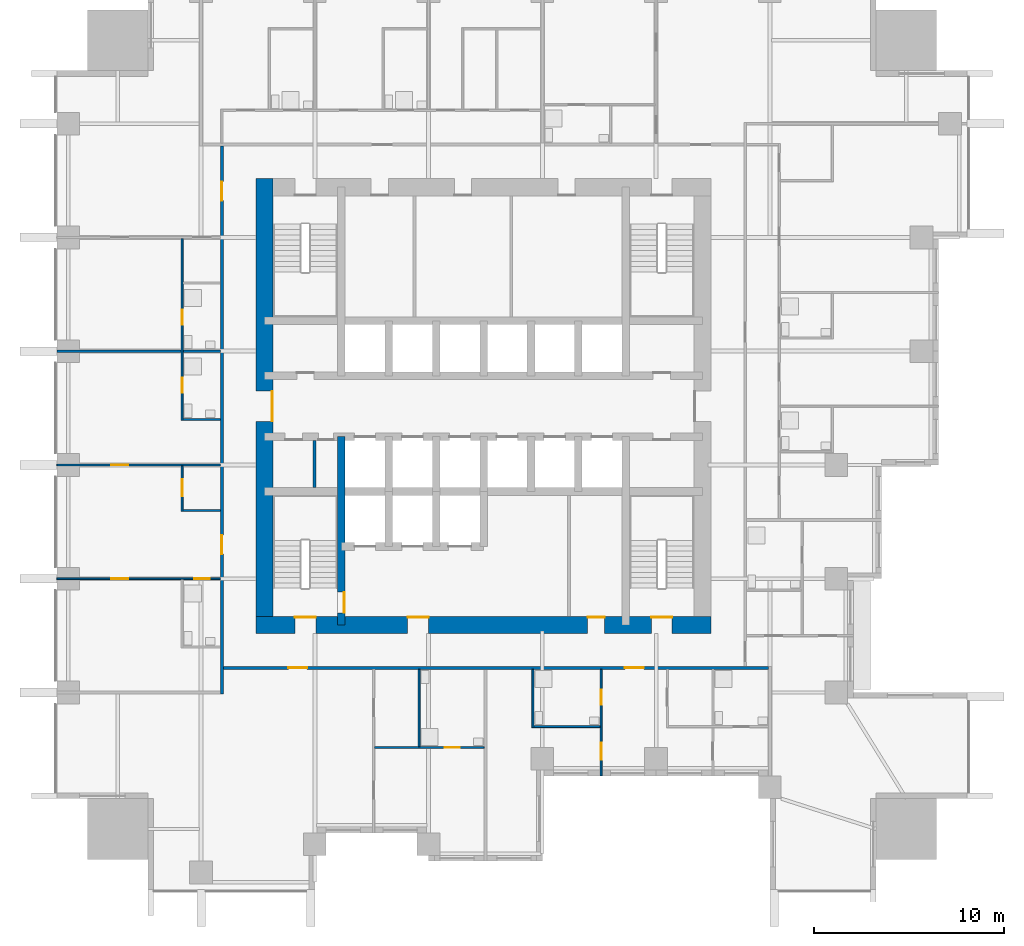
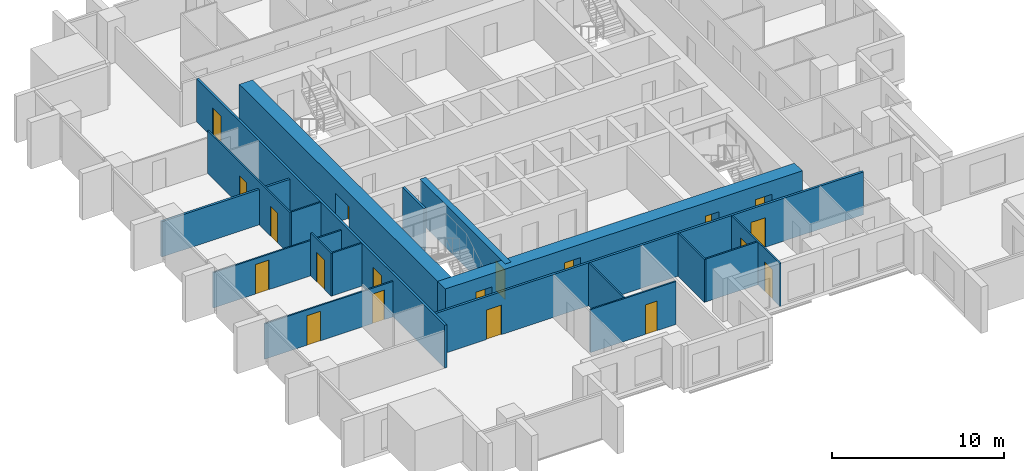
# One storey, part 4 of 10: 19 doors, 18 walls, 19 openings.
"""IFC4 building model written with IfcOpenShell, lengths in metres."""

from ifc_helpers import new_model, si_unit, direction, frame, frame_2d, origin, place, context, subcontext, project, spatial, rectangle, extrude, material, layer, layer_set, type_object, element, fill, save


model = new_model("IFC4")

# Units and contexts
model_context = context("Model", 3, precision=1e-05, world=origin(), true_north=direction((0.0, 1.0)))
body_context = subcontext(model_context, "Body", "Model", "MODEL_VIEW")
ifc_project = project(units=[si_unit("LENGTHUNIT", "METRE"), si_unit("AREAUNIT", "SQUARE_METRE"), si_unit("VOLUMEUNIT", "CUBIC_METRE"), si_unit("PLANEANGLEUNIT", "RADIAN"), si_unit("MASSUNIT", "GRAM", prefix="KILO")], contexts=[model_context])

# Site, building, storey
site_placement = place(None, origin())
site = spatial("IfcSite", under=ifc_project, at=site_placement, CompositionType="ELEMENT")
building_placement = place(site_placement, origin())
building = spatial("IfcBuilding", under=site, at=building_placement, Name="Amberfall Residences", CompositionType="ELEMENT")
storey_placement = place(building_placement, frame((0.0, 0.0, 46.60009765625)))
storey = spatial("IfcBuildingStorey", under=building, at=storey_placement, Name="L12", CompositionType="ELEMENT", Elevation=46.60009765625)

# Wall, opening, door
ifc_material_1 = material(Name="Concrete C80", Category="concrete")
ifc_layer_1 = layer(ifc_material_1, 0.39990234375)
ifc_layer_set_1 = layer_set([ifc_layer_1], Name="Core wall 400 C80")
wall_type_1 = type_object("IfcWallType", Name="Core wall 400 C80", PredefinedType="SHEAR", material=ifc_layer_set_1)
wall_1_placement = place(storey_placement, frame((67.0, 33.949951171875, 0.0), z_axis=(0.0, 0.0, 1.0), x_axis=(0.0, 1.0, 0.0)))
wall_1 = element("IfcWall", 1, at=wall_1_placement, inside=storey, type_object=wall_type_1, Name="Core wall RW2 L12 V45S", PredefinedType="SHEAR", context=body_context, shape_type="SweptSolid", body=[
    extrude(rectangle(XDim=9.949951171875, YDim=0.39990234375, at=frame_2d((4.97509765625, 0.0))), origin(), (0.0, 0.0, 1.0), 3.0498046875),
])
opening_1_placement = place(wall_1_placement, frame((0.64990234375, 0.0, 0.0)))
opening_1 = element("IfcOpeningElement", 2, at=opening_1_placement, cuts=wall_1, Name="Opening FL1", PredefinedType="OPENING", context=body_context, shape_type="SweptSolid", body=[
    extrude(rectangle(XDim=1.10009765625, YDim=2.10009765625, at=frame_2d((0.550048828125, 1.050048828125))), frame((0.0, 0.2099609375, 0.0), z_axis=(0.0, -1.0, 0.0), x_axis=(1.0, 0.0, 0.0)), (0.0, 0.0, 1.0), 0.419921875),
])
ifc_material_2 = material(Name="Steel fire door set", Category="steel")
door_type_1 = type_object("IfcDoorType", Name="Firefighting lobby door 1100 x 2100", OperationType="SINGLE_SWING_LEFT", PredefinedType="DOOR", material=ifc_material_2)
door_1_placement = place(opening_1_placement, origin())
door_1 = element("IfcDoor", 3, at=door_1_placement, inside=storey, type_object=door_type_1, Name="FL1 L12", OperationType="SINGLE_SWING_RIGHT", OverallHeight=2.10009765625, OverallWidth=1.10009765625, PredefinedType="DOOR", context=body_context, shape_type="SweptSolid", body=[
    extrude(rectangle(XDim=1.10009765625, YDim=2.10009765625, at=frame_2d((0.550048828125, 1.050048828125))), frame((0.0, -0.1376953125, 0.0), z_axis=(0.0, -1.0, 0.0), x_axis=(1.0, 0.0, 0.0)), (0.0, 0.0, 1.0), 0.050048828125),
])
fill(opening_1, door_1)

# Wall, openings, doors
ifc_layer_2 = layer(ifc_material_1, 0.89990234375)
ifc_layer_set_2 = layer_set([ifc_layer_2], Name="Core wall 900 C80")
wall_type_2 = type_object("IfcWallType", Name="Core wall 900 C80", PredefinedType="SHEAR", material=ifc_layer_set_2)
wall_2_placement = place(storey_placement, frame((62.5, 33.949951171875, 0.0), z_axis=(0.0, 0.0, 1.0), x_axis=(1.0, 0.0, 0.0)))
wall_2 = element("IfcWall", 4, at=wall_2_placement, inside=storey, type_object=wall_type_2, Name="Core wall RW1 L12 OS", PredefinedType="SHEAR", context=body_context, shape_type="SweptSolid", body=[
    extrude(rectangle(XDim=24.0, YDim=0.89990234375, at=frame_2d((12.0, 0.0))), origin(), (0.0, 0.0, 1.0), 3.0498046875),
])
opening_2_placement = place(wall_2_placement, frame((2.050048828125, 0.0, 0.0)))
opening_2 = element("IfcOpeningElement", 5, at=opening_2_placement, cuts=wall_2, Name="Opening SD1", PredefinedType="OPENING", context=body_context, shape_type="SweptSolid", body=[
    extrude(rectangle(XDim=1.10009765625, YDim=2.10009765625, at=frame_2d((0.550048828125, 1.050048828125))), frame((0.0, 0.4599609375, 0.0), z_axis=(0.0, -1.0, 0.0), x_axis=(1.0, 0.0, 0.0)), (0.0, 0.0, 1.0), 0.919921875),
])
opening_3_placement = place(wall_2_placement, frame((20.85009765625, 0.0, 0.0)))
opening_3 = element("IfcOpeningElement", 6, at=opening_3_placement, cuts=wall_2, Name="Opening SD1", PredefinedType="OPENING", context=body_context, shape_type="SweptSolid", body=[
    extrude(rectangle(XDim=1.10009765625, YDim=2.10009765625, at=frame_2d((0.550048828125, 1.050048828125))), frame((0.0, 0.4599609375, 0.0), z_axis=(0.0, -1.0, 0.0), x_axis=(1.0, 0.0, 0.0)), (0.0, 0.0, 1.0), 0.919921875),
])
opening_4_placement = place(wall_2_placement, frame((8.0, 0.0, 0.0)))
opening_4 = element("IfcOpeningElement", 7, at=opening_4_placement, cuts=wall_2, Name="Opening FL1", PredefinedType="OPENING", context=body_context, shape_type="SweptSolid", body=[
    extrude(rectangle(XDim=1.10009765625, YDim=2.10009765625, at=frame_2d((0.550048828125, 1.050048828125))), frame((0.0, 0.4599609375, 0.0), z_axis=(0.0, -1.0, 0.0), x_axis=(1.0, 0.0, 0.0)), (0.0, 0.0, 1.0), 0.919921875),
])
opening_5_placement = place(wall_2_placement, frame((17.487548828125, 0.0, 0.0)))
opening_5 = element("IfcOpeningElement", 8, at=opening_5_placement, cuts=wall_2, Name="Opening RD1", PredefinedType="OPENING", context=body_context, shape_type="SweptSolid", body=[
    extrude(rectangle(XDim=0.89990234375, YDim=2.10009765625, at=frame_2d((0.449951171875, 1.050048828125))), frame((0.0, 0.4599609375, 0.0), z_axis=(0.0, -1.0, 0.0), x_axis=(1.0, 0.0, 0.0)), (0.0, 0.0, 1.0), 0.919921875),
])
door_2_placement = place(opening_4_placement, origin())
door_2 = element("IfcDoor", 9, at=door_2_placement, inside=storey, type_object=door_type_1, Name="FL1 L12", OperationType="SINGLE_SWING_LEFT", OverallHeight=2.10009765625, OverallWidth=1.10009765625, PredefinedType="DOOR", context=body_context, shape_type="SweptSolid", body=[
    extrude(rectangle(XDim=1.10009765625, YDim=2.10009765625, at=frame_2d((0.550048828125, 1.050048828125))), frame((0.0, 0.4375, 0.0), z_axis=(0.0, -1.0, 0.0), x_axis=(1.0, 0.0, 0.0)), (0.0, 0.0, 1.0), 0.050048828125),
])
fill(opening_4, door_2)
door_type_2 = type_object("IfcDoorType", Name="Service room door 900 x 2100", OperationType="SINGLE_SWING_LEFT", PredefinedType="DOOR", material=ifc_material_2)
door_3_placement = place(opening_5_placement, origin())
door_3 = element("IfcDoor", 10, at=door_3_placement, inside=storey, type_object=door_type_2, Name="RD1 L12", OperationType="SINGLE_SWING_LEFT", OverallHeight=2.10009765625, OverallWidth=0.89990234375, PredefinedType="DOOR", context=body_context, shape_type="SweptSolid", body=[
    extrude(rectangle(XDim=0.89990234375, YDim=2.10009765625, at=frame_2d((0.449951171875, 1.050048828125))), frame((0.0, 0.4375, 0.0), z_axis=(0.0, -1.0, 0.0), x_axis=(1.0, 0.0, 0.0)), (0.0, 0.0, 1.0), 0.050048828125),
])
fill(opening_5, door_3)
door_type_3 = type_object("IfcDoorType", Name="Stair door 1100 x 2100", OperationType="SINGLE_SWING_LEFT", PredefinedType="DOOR", material=ifc_material_2)
door_4_placement = place(opening_2_placement, origin())
door_4 = element("IfcDoor", 11, at=door_4_placement, inside=storey, type_object=door_type_3, Name="SD1 L12", OperationType="SINGLE_SWING_LEFT", OverallHeight=2.10009765625, OverallWidth=1.10009765625, PredefinedType="DOOR", context=body_context, shape_type="SweptSolid", body=[
    extrude(rectangle(XDim=1.10009765625, YDim=2.10009765625, at=frame_2d((0.550048828125, 1.050048828125))), frame((0.0, 0.4375, 0.0), z_axis=(0.0, -1.0, 0.0), x_axis=(1.0, 0.0, 0.0)), (0.0, 0.0, 1.0), 0.050048828125),
])
fill(opening_2, door_4)
door_5_placement = place(opening_3_placement, origin())
door_5 = element("IfcDoor", 12, at=door_5_placement, inside=storey, type_object=door_type_3, Name="SD1 L12", OperationType="SINGLE_SWING_RIGHT", OverallHeight=2.10009765625, OverallWidth=1.10009765625, PredefinedType="DOOR", context=body_context, shape_type="SweptSolid", body=[
    extrude(rectangle(XDim=1.10009765625, YDim=2.10009765625, at=frame_2d((0.550048828125, 1.050048828125))), frame((0.0, 0.4375, 0.0), z_axis=(0.0, -1.0, 0.0), x_axis=(1.0, 0.0, 0.0)), (0.0, 0.0, 1.0), 0.050048828125),
])
fill(opening_3, door_5)

# Wall, opening, door
wall_3_placement = place(storey_placement, frame((62.949951171875, 33.5, 0.0), z_axis=(0.0, 0.0, 1.0), x_axis=(0.0, 1.0, 0.0)))
wall_3 = element("IfcWall", 13, at=wall_3_placement, inside=storey, type_object=wall_type_2, Name="Core wall RW1 L12 OW", PredefinedType="SHEAR", context=body_context, shape_type="SweptSolid", body=[
    extrude(rectangle(XDim=24.0, YDim=0.89990234375, at=frame_2d((12.0, 0.0))), origin(), (0.0, 0.0, 1.0), 3.0498046875),
])
opening_6_placement = place(wall_3_placement, frame((11.199951171875, 0.0, 0.0)))
opening_6 = element("IfcOpeningElement", 14, at=opening_6_placement, cuts=wall_3, Name="Opening LB1", PredefinedType="OPENING", context=body_context, shape_type="SweptSolid", body=[
    extrude(rectangle(XDim=1.60009765625, YDim=2.10009765625, at=frame_2d((0.800048828125, 1.050048828125))), frame((0.0, 0.4599609375, 0.0), z_axis=(0.0, -1.0, 0.0), x_axis=(1.0, 0.0, 0.0)), (0.0, 0.0, 1.0), 0.919921875),
])
door_type_4 = type_object("IfcDoorType", Name="Lift lobby double door 1600 x 2100", OperationType="DOUBLE_DOOR_SINGLE_SWING", PredefinedType="DOOR", material=ifc_material_2)
door_6_placement = place(opening_6_placement, origin())
door_6 = element("IfcDoor", 15, at=door_6_placement, inside=storey, type_object=door_type_4, Name="LB1 L12", OperationType="DOUBLE_DOOR_SINGLE_SWING", OverallHeight=2.10009765625, OverallWidth=1.60009765625, PredefinedType="DOOR", context=body_context, shape_type="SweptSolid", body=[
    extrude(rectangle(XDim=1.60009765625, YDim=2.10009765625, at=frame_2d((0.800048828125, 1.050048828125))), frame((0.0, -0.3876953125, 0.0), z_axis=(0.0, -1.0, 0.0), x_axis=(1.0, 0.0, 0.0)), (0.0, 0.0, 1.0), 0.050048828125),
])
fill(opening_6, door_6)

ifc_material_3 = material(Name="Gypsum board on metal stud")
ifc_layer_3 = layer(ifc_material_3, 0.10009765625)
ifc_layer_set_3 = layer_set([ifc_layer_3], Name="Flat partition 100")
wall_type_3 = type_object("IfcWallType", Name="Flat partition 100", PredefinedType="PARTITIONING", material=ifc_layer_set_3)
wall_4_placement = place(storey_placement, frame((58.60009765625, 42.35009765625, 0.0), z_axis=(0.0, 0.0, 1.0), x_axis=(0.0, -1.0, 0.0)))
wall_4 = element("IfcWall", 16, at=wall_4_placement, inside=storey, type_object=wall_type_3, Name="Partition 002", PredefinedType="PARTITIONING", context=body_context, shape_type="SweptSolid", body=[
    extrude(rectangle(XDim=2.400146484375, YDim=0.10009765625, at=frame_2d((1.2001953125, 0.0))), origin(), (0.0, 0.0, 1.0), 3.0498046875),
])
opening_7_placement = place(wall_4_placement, frame((0.699951171875, 0.0, 0.0)))
opening_7 = element("IfcOpeningElement", 17, at=opening_7_placement, cuts=wall_4, Name="Opening D41", PredefinedType="OPENING", context=body_context, shape_type="SweptSolid", body=[
    extrude(rectangle(XDim=0.89990234375, YDim=2.10009765625, at=frame_2d((0.449951171875, 1.050048828125))), frame((0.0, 0.06005859375, 0.0), z_axis=(0.0, -1.0, 0.0), x_axis=(1.0, 0.0, 0.0)), (0.0, 0.0, 1.0), 0.1201171875),
])
ifc_material_4 = material(Name="Timber", Category="wood")
door_type_5 = type_object("IfcDoorType", Name="Internal door 900 x 2100", OperationType="SINGLE_SWING_LEFT", PredefinedType="DOOR", material=ifc_material_4)
door_7_placement = place(opening_7_placement, origin())
door_7 = element("IfcDoor", 18, at=door_7_placement, inside=storey, type_object=door_type_5, Name="Door 1207 kitchen", OperationType="SINGLE_SWING_LEFT", OverallHeight=2.10009765625, OverallWidth=0.89990234375, PredefinedType="DOOR", context=body_context, shape_type="SweptSolid", body=[
    extrude(rectangle(XDim=0.89990234375, YDim=2.10009765625, at=frame_2d((0.449951171875, 1.050048828125))), frame((0.0, 0.02490234375, 0.0), z_axis=(0.0, -1.0, 0.0), x_axis=(1.0, 0.0, 0.0)), (0.0, 0.0, 1.0), 0.050048828125),
])
fill(opening_7, door_7)

# Wall, openings, doors
wall_5_placement = place(storey_placement, frame((58.60009765625, 54.35009765625, 0.0), z_axis=(0.0, 0.0, 1.0), x_axis=(0.0, -1.0, 0.0)))
wall_5 = element("IfcWall", 19, at=wall_5_placement, inside=storey, type_object=wall_type_3, Name="Partition 003", PredefinedType="PARTITIONING", context=body_context, shape_type="SweptSolid", body=[
    extrude(rectangle(XDim=9.60009765625, YDim=0.10009765625, at=frame_2d((4.800048828125, 0.0))), origin(), (0.0, 0.0, 1.0), 3.0498046875),
])
opening_8_placement = place(wall_5_placement, frame((7.35009765625, 0.0, 0.0)))
opening_8 = element("IfcOpeningElement", 20, at=opening_8_placement, cuts=wall_5, Name="Opening D42", PredefinedType="OPENING", context=body_context, shape_type="SweptSolid", body=[
    extrude(rectangle(XDim=0.800048828125, YDim=2.10009765625, at=frame_2d((0.39990234375, 1.050048828125))), frame((0.0, 0.06005859375, 0.0), z_axis=(0.0, -1.0, 0.0), x_axis=(1.0, 0.0, 0.0)), (0.0, 0.0, 1.0), 0.1201171875),
])
opening_9_placement = place(wall_5_placement, frame((3.75, 0.0, 0.0)))
opening_9 = element("IfcOpeningElement", 21, at=opening_9_placement, cuts=wall_5, Name="Opening D42", PredefinedType="OPENING", context=body_context, shape_type="SweptSolid", body=[
    extrude(rectangle(XDim=0.800048828125, YDim=2.10009765625, at=frame_2d((0.39990234375, 1.050048828125))), frame((0.0, 0.06005859375, 0.0), z_axis=(0.0, -1.0, 0.0), x_axis=(1.0, 0.0, 0.0)), (0.0, 0.0, 1.0), 0.1201171875),
])
door_type_6 = type_object("IfcDoorType", Name="Bathroom door 800 x 2100", OperationType="SINGLE_SWING_LEFT", PredefinedType="DOOR", material=ifc_material_4)
door_8_placement = place(opening_8_placement, origin())
door_8 = element("IfcDoor", 22, at=door_8_placement, inside=storey, type_object=door_type_6, Name="Door 1207 bath2", OperationType="SINGLE_SWING_LEFT", OverallHeight=2.10009765625, OverallWidth=0.800048828125, PredefinedType="DOOR", context=body_context, shape_type="SweptSolid", body=[
    extrude(rectangle(XDim=0.800048828125, YDim=2.10009765625, at=frame_2d((0.39990234375, 1.050048828125))), frame((0.0, 0.02490234375, 0.0), z_axis=(0.0, -1.0, 0.0), x_axis=(1.0, 0.0, 0.0)), (0.0, 0.0, 1.0), 0.050048828125),
])
fill(opening_8, door_8)
door_9_placement = place(opening_9_placement, origin())
door_9 = element("IfcDoor", 23, at=door_9_placement, inside=storey, type_object=door_type_6, Name="Door 1208 bath1", OperationType="SINGLE_SWING_LEFT", OverallHeight=2.10009765625, OverallWidth=0.800048828125, PredefinedType="DOOR", context=body_context, shape_type="SweptSolid", body=[
    extrude(rectangle(XDim=0.800048828125, YDim=2.10009765625, at=frame_2d((0.39990234375, 1.050048828125))), frame((0.0, 0.02490234375, 0.0), z_axis=(0.0, -1.0, 0.0), x_axis=(1.0, 0.0, 0.0)), (0.0, 0.0, 1.0), 0.050048828125),
])
fill(opening_9, door_9)

# Walls
wall_6_placement = place(storey_placement, frame((71.10009765625, 27.550048828125, 0.0), z_axis=(0.0, 0.0, 1.0), x_axis=(0.0, 1.0, 0.0)))
element("IfcWall", 24, at=wall_6_placement, inside=storey, type_object=wall_type_3, Name="Partition 009", PredefinedType="PARTITIONING", context=body_context, shape_type="SweptSolid", body=[
    extrude(rectangle(XDim=4.074951171875, YDim=0.10009765625, at=frame_2d((2.03759765625, 0.0))), origin(), (0.0, 0.0, 1.0), 3.0498046875),
])
wall_7_placement = place(storey_placement, frame((77.10009765625, 28.550048828125, 0.0), z_axis=(0.0, 0.0, 1.0), x_axis=(0.0, 1.0, 0.0)))
element("IfcWall", 25, at=wall_7_placement, inside=storey, type_object=wall_type_3, Name="Partition 013", PredefinedType="PARTITIONING", context=body_context, shape_type="SweptSolid", body=[
    extrude(rectangle(XDim=3.074951171875, YDim=0.10009765625, at=frame_2d((1.53759765625, 0.0))), origin(), (0.0, 0.0, 1.0), 3.0498046875),
])

# Wall, openings, doors
wall_8_placement = place(storey_placement, frame((80.699951171875, 26.0, 0.0), z_axis=(0.0, 0.0, 1.0), x_axis=(0.0, 1.0, 0.0)))
wall_8 = element("IfcWall", 26, at=wall_8_placement, inside=storey, type_object=wall_type_3, Name="Partition 014", PredefinedType="PARTITIONING", context=body_context, shape_type="SweptSolid", body=[
    extrude(rectangle(XDim=5.625, YDim=0.10009765625, at=frame_2d((2.8125, 0.0))), origin(), (0.0, 0.0, 1.0), 3.0498046875),
])
opening_10_placement = place(wall_8_placement, frame((0.85009765625, 0.0, 0.0)))
opening_10 = element("IfcOpeningElement", 27, at=opening_10_placement, cuts=wall_8, Name="Opening D41", PredefinedType="OPENING", context=body_context, shape_type="SweptSolid", body=[
    extrude(rectangle(XDim=0.89990234375, YDim=2.10009765625, at=frame_2d((0.449951171875, 1.050048828125))), frame((0.0, 0.06005859375, 0.0), z_axis=(0.0, -1.0, 0.0), x_axis=(1.0, 0.0, 0.0)), (0.0, 0.0, 1.0), 0.1201171875),
])
opening_11_placement = place(wall_8_placement, frame((3.75, 0.0, 0.0)))
opening_11 = element("IfcOpeningElement", 28, at=opening_11_placement, cuts=wall_8, Name="Opening D42", PredefinedType="OPENING", context=body_context, shape_type="SweptSolid", body=[
    extrude(rectangle(XDim=0.800048828125, YDim=2.10009765625, at=frame_2d((0.39990234375, 1.050048828125))), frame((0.0, 0.06005859375, 0.0), z_axis=(0.0, -1.0, 0.0), x_axis=(1.0, 0.0, 0.0)), (0.0, 0.0, 1.0), 0.1201171875),
])
door_10_placement = place(opening_11_placement, origin())
door_10 = element("IfcDoor", 29, at=door_10_placement, inside=storey, type_object=door_type_6, Name="Door 1202 bath1", OperationType="SINGLE_SWING_LEFT", OverallHeight=2.10009765625, OverallWidth=0.800048828125, PredefinedType="DOOR", context=body_context, shape_type="SweptSolid", body=[
    extrude(rectangle(XDim=0.800048828125, YDim=2.10009765625, at=frame_2d((0.39990234375, 1.050048828125))), frame((0.0, 0.02490234375, 0.0), z_axis=(0.0, -1.0, 0.0), x_axis=(1.0, 0.0, 0.0)), (0.0, 0.0, 1.0), 0.050048828125),
])
fill(opening_11, door_10)
door_11_placement = place(opening_10_placement, origin())
door_11 = element("IfcDoor", 30, at=door_11_placement, inside=storey, type_object=door_type_5, Name="Door 1202 bedroom1", OperationType="SINGLE_SWING_LEFT", OverallHeight=2.10009765625, OverallWidth=0.89990234375, PredefinedType="DOOR", context=body_context, shape_type="SweptSolid", body=[
    extrude(rectangle(XDim=0.89990234375, YDim=2.10009765625, at=frame_2d((0.449951171875, 1.050048828125))), frame((0.0, 0.02490234375, 0.0), z_axis=(0.0, -1.0, 0.0), x_axis=(1.0, 0.0, 0.0)), (0.0, 0.0, 1.0), 0.050048828125),
])
fill(opening_10, door_11)

# Wall
wall_9_placement = place(storey_placement, frame((58.64990234375, 44.800048828125, 0.0), z_axis=(0.0, 0.0, 1.0), x_axis=(1.0, 0.0, 0.0)))
element("IfcWall", 31, at=wall_9_placement, inside=storey, type_object=wall_type_3, Name="Partition 036", PredefinedType="PARTITIONING", context=body_context, shape_type="SweptSolid", body=[
    extrude(rectangle(XDim=1.97509765625, YDim=0.10009765625, at=frame_2d((0.987548828125, 0.0))), origin(), (0.0, 0.0, 1.0), 3.0498046875),
])

# Wall, opening, door
wall_10_placement = place(storey_placement, frame((52.0, 42.39990234375, 0.0), z_axis=(0.0, 0.0, 1.0), x_axis=(1.0, 0.0, 0.0)))
wall_10 = element("IfcWall", 32, at=wall_10_placement, inside=storey, type_object=wall_type_3, Name="Partition 038", PredefinedType="PARTITIONING", context=body_context, shape_type="SweptSolid", body=[
    extrude(rectangle(XDim=8.625, YDim=0.10009765625, at=frame_2d((4.3125, 0.0))), origin(), (0.0, 0.0, 1.0), 2.515869140625),
])
opening_12_placement = place(wall_10_placement, frame((2.85009765625, 0.0, 0.0)))
opening_12 = element("IfcOpeningElement", 33, at=opening_12_placement, cuts=wall_10, Name="Opening D41", PredefinedType="OPENING", context=body_context, shape_type="SweptSolid", body=[
    extrude(rectangle(XDim=0.89990234375, YDim=2.10009765625, at=frame_2d((0.449951171875, 1.050048828125))), frame((0.0, 0.06005859375, 0.0), z_axis=(0.0, -1.0, 0.0), x_axis=(1.0, 0.0, 0.0)), (0.0, 0.0, 1.0), 0.1201171875),
])
door_12_placement = place(opening_12_placement, origin())
door_12 = element("IfcDoor", 34, at=door_12_placement, inside=storey, type_object=door_type_5, Name="Door 1207 bedroom2", OperationType="SINGLE_SWING_LEFT", OverallHeight=2.10009765625, OverallWidth=0.89990234375, PredefinedType="DOOR", context=body_context, shape_type="SweptSolid", body=[
    extrude(rectangle(XDim=0.89990234375, YDim=2.10009765625, at=frame_2d((0.449951171875, 1.050048828125))), frame((0.0, 0.02490234375, 0.0), z_axis=(0.0, -1.0, 0.0), x_axis=(1.0, 0.0, 0.0)), (0.0, 0.0, 1.0), 0.050048828125),
])
fill(opening_12, door_12)

# Wall
wall_11_placement = place(storey_placement, frame((58.64990234375, 40.0, 0.0), z_axis=(0.0, 0.0, 1.0), x_axis=(1.0, 0.0, 0.0)))
element("IfcWall", 35, at=wall_11_placement, inside=storey, type_object=wall_type_3, Name="Partition 039", PredefinedType="PARTITIONING", context=body_context, shape_type="SweptSolid", body=[
    extrude(rectangle(XDim=1.97509765625, YDim=0.10009765625, at=frame_2d((0.987548828125, 0.0))), origin(), (0.0, 0.0, 1.0), 3.0498046875),
])

# Wall, openings, doors
wall_12_placement = place(storey_placement, frame((60.625, 36.39990234375, 0.0), z_axis=(0.0, 0.0, 1.0), x_axis=(-1.0, 0.0, 0.0)))
wall_12 = element("IfcWall", 36, at=wall_12_placement, inside=storey, type_object=wall_type_3, Name="Partition 040", PredefinedType="PARTITIONING", context=body_context, shape_type="SweptSolid", body=[
    extrude(rectangle(XDim=8.625, YDim=0.10009765625, at=frame_2d((4.3125, 0.0))), origin(), (0.0, 0.0, 1.0), 2.515869140625),
])
opening_13_placement = place(wall_12_placement, frame((4.875, 0.0, 0.0)))
opening_13 = element("IfcOpeningElement", 37, at=opening_13_placement, cuts=wall_12, Name="Opening D41", PredefinedType="OPENING", context=body_context, shape_type="SweptSolid", body=[
    extrude(rectangle(XDim=0.89990234375, YDim=2.10009765625, at=frame_2d((0.449951171875, 1.050048828125))), frame((0.0, 0.06005859375, 0.0), z_axis=(0.0, -1.0, 0.0), x_axis=(1.0, 0.0, 0.0)), (0.0, 0.0, 1.0), 0.1201171875),
])
opening_14_placement = place(wall_12_placement, frame((0.574951171875, 0.0, 0.0)))
opening_14 = element("IfcOpeningElement", 38, at=opening_14_placement, cuts=wall_12, Name="Opening D42", PredefinedType="OPENING", context=body_context, shape_type="SweptSolid", body=[
    extrude(rectangle(XDim=0.800048828125, YDim=2.10009765625, at=frame_2d((0.39990234375, 1.050048828125))), frame((0.0, 0.06005859375, 0.0), z_axis=(0.0, -1.0, 0.0), x_axis=(1.0, 0.0, 0.0)), (0.0, 0.0, 1.0), 0.1201171875),
])
door_13_placement = place(opening_14_placement, origin())
door_13 = element("IfcDoor", 39, at=door_13_placement, inside=storey, type_object=door_type_6, Name="Door 1207 bath1", OperationType="SINGLE_SWING_LEFT", OverallHeight=2.10009765625, OverallWidth=0.800048828125, PredefinedType="DOOR", context=body_context, shape_type="SweptSolid", body=[
    extrude(rectangle(XDim=0.800048828125, YDim=2.10009765625, at=frame_2d((0.39990234375, 1.050048828125))), frame((0.0, 0.02490234375, 0.0), z_axis=(0.0, -1.0, 0.0), x_axis=(1.0, 0.0, 0.0)), (0.0, 0.0, 1.0), 0.050048828125),
])
fill(opening_14, door_13)
door_14_placement = place(opening_13_placement, origin())
door_14 = element("IfcDoor", 40, at=door_14_placement, inside=storey, type_object=door_type_5, Name="Door 1207 bedroom1", OperationType="SINGLE_SWING_LEFT", OverallHeight=2.10009765625, OverallWidth=0.89990234375, PredefinedType="DOOR", context=body_context, shape_type="SweptSolid", body=[
    extrude(rectangle(XDim=0.89990234375, YDim=2.10009765625, at=frame_2d((0.449951171875, 1.050048828125))), frame((0.0, 0.02490234375, 0.0), z_axis=(0.0, -1.0, 0.0), x_axis=(1.0, 0.0, 0.0)), (0.0, 0.0, 1.0), 0.050048828125),
])
fill(opening_13, door_14)

# Wall
wall_13_placement = place(storey_placement, frame((77.14990234375, 28.60009765625, 0.0), z_axis=(0.0, 0.0, 1.0), x_axis=(1.0, 0.0, 0.0)))
element("IfcWall", 41, at=wall_13_placement, inside=storey, type_object=wall_type_3, Name="Partition 044", PredefinedType="PARTITIONING", context=body_context, shape_type="SweptSolid", body=[
    extrude(rectangle(XDim=3.5, YDim=0.10009765625, at=frame_2d((1.75, 0.0))), origin(), (0.0, 0.0, 1.0), 3.0498046875),
])

# Wall, opening, door
wall_14_placement = place(storey_placement, frame((68.75, 27.5, 0.0), z_axis=(0.0, 0.0, 1.0), x_axis=(1.0, 0.0, 0.0)))
wall_14 = element("IfcWall", 42, at=wall_14_placement, inside=storey, type_object=wall_type_3, Name="Partition 046", PredefinedType="PARTITIONING", context=body_context, shape_type="SweptSolid", body=[
    extrude(rectangle(XDim=5.77490234375, YDim=0.10009765625, at=frame_2d((2.887451171875, 0.0))), origin(), (0.0, 0.0, 1.0), 3.0498046875),
])
opening_15_placement = place(wall_14_placement, frame((3.699951171875, 0.0, 0.0)))
opening_15 = element("IfcOpeningElement", 43, at=opening_15_placement, cuts=wall_14, Name="Opening D42", PredefinedType="OPENING", context=body_context, shape_type="SweptSolid", body=[
    extrude(rectangle(XDim=0.800048828125, YDim=2.10009765625, at=frame_2d((0.39990234375, 1.050048828125))), frame((0.0, 0.06005859375, 0.0), z_axis=(0.0, -1.0, 0.0), x_axis=(1.0, 0.0, 0.0)), (0.0, 0.0, 1.0), 0.1201171875),
])
door_15_placement = place(opening_15_placement, origin())
door_15 = element("IfcDoor", 44, at=door_15_placement, inside=storey, type_object=door_type_6, Name="Door 1201 bath1", OperationType="SINGLE_SWING_LEFT", OverallHeight=2.10009765625, OverallWidth=0.800048828125, PredefinedType="DOOR", context=body_context, shape_type="SweptSolid", body=[
    extrude(rectangle(XDim=0.800048828125, YDim=2.10009765625, at=frame_2d((0.39990234375, 1.050048828125))), frame((0.0, 0.02490234375, 0.0), z_axis=(0.0, -1.0, 0.0), x_axis=(1.0, 0.0, 0.0)), (0.0, 0.0, 1.0), 0.050048828125),
])
fill(opening_15, door_15)

# Wall, openings, doors
ifc_material_5 = material(Name="Blockwork, plastered", Category="masonry")
ifc_layer_4 = layer(ifc_material_5, 0.14990234375)
ifc_layer_set_4 = layer_set([ifc_layer_4], Name="Flat separating wall 150")
wall_type_4 = type_object("IfcWallType", Name="Flat separating wall 150", PredefinedType="PARTITIONING", material=ifc_layer_set_4)
wall_15_placement = place(storey_placement, frame((60.699951171875, 30.324951171875, 0.0), z_axis=(0.0, 0.0, 1.0), x_axis=(0.0, 1.0, 0.0)))
wall_15 = element("IfcWall", 45, at=wall_15_placement, inside=storey, type_object=wall_type_4, Name="Separating wall 048", PredefinedType="PARTITIONING", context=body_context, shape_type="SweptSolid", body=[
    extrude(rectangle(XDim=28.900146484375, YDim=0.14990234375, at=frame_2d((14.4501953125, 0.0))), origin(), (0.0, 0.0, 1.0), 3.0498046875),
])
opening_16_placement = place(wall_15_placement, frame((7.375, 0.0, 0.0)))
opening_16 = element("IfcOpeningElement", 46, at=opening_16_placement, cuts=wall_15, Name="Opening D40", PredefinedType="OPENING", context=body_context, shape_type="SweptSolid", body=[
    extrude(rectangle(XDim=1.0, YDim=2.10009765625, at=frame_2d((0.5, 1.050048828125))), frame((0.0, 0.0849609375, 0.0), z_axis=(0.0, -1.0, 0.0), x_axis=(1.0, 0.0, 0.0)), (0.0, 0.0, 1.0), 0.169921875),
])
opening_17_placement = place(wall_15_placement, frame((26.02490234375, 0.0, 0.0)))
opening_17 = element("IfcOpeningElement", 47, at=opening_17_placement, cuts=wall_15, Name="Opening D40", PredefinedType="OPENING", context=body_context, shape_type="SweptSolid", body=[
    extrude(rectangle(XDim=1.0, YDim=2.10009765625, at=frame_2d((0.5, 1.050048828125))), frame((0.0, 0.0849609375, 0.0), z_axis=(0.0, -1.0, 0.0), x_axis=(1.0, 0.0, 0.0)), (0.0, 0.0, 1.0), 0.169921875),
])
ifc_material_6 = material(Name="Timber, fire-rated", Category="wood")
door_type_7 = type_object("IfcDoorType", Name="Flat entrance door FD60 1000 x 2100", OperationType="SINGLE_SWING_LEFT", PredefinedType="DOOR", material=ifc_material_6)
door_16_placement = place(opening_16_placement, origin())
door_16 = element("IfcDoor", 48, at=door_16_placement, inside=storey, type_object=door_type_7, Name="Door 1207 entrance", OperationType="SINGLE_SWING_LEFT", OverallHeight=2.10009765625, OverallWidth=1.0, PredefinedType="DOOR", context=body_context, shape_type="SweptSolid", body=[
    extrude(rectangle(XDim=1.0, YDim=2.10009765625, at=frame_2d((0.5, 1.050048828125))), frame((0.0, 0.02490234375, 0.0), z_axis=(0.0, -1.0, 0.0), x_axis=(1.0, 0.0, 0.0)), (0.0, 0.0, 1.0), 0.050048828125),
])
fill(opening_16, door_16)
door_17_placement = place(opening_17_placement, origin())
door_17 = element("IfcDoor", 49, at=door_17_placement, inside=storey, type_object=door_type_7, Name="Door 1208 entrance", OperationType="SINGLE_SWING_LEFT", OverallHeight=2.10009765625, OverallWidth=1.0, PredefinedType="DOOR", context=body_context, shape_type="SweptSolid", body=[
    extrude(rectangle(XDim=1.0, YDim=2.10009765625, at=frame_2d((0.5, 1.050048828125))), frame((0.0, 0.02490234375, 0.0), z_axis=(0.0, -1.0, 0.0), x_axis=(1.0, 0.0, 0.0)), (0.0, 0.0, 1.0), 0.050048828125),
])
fill(opening_17, door_17)

# Wall
wall_16_placement = place(storey_placement, frame((52.0, 48.39990234375, 0.0), z_axis=(0.0, 0.0, 1.0), x_axis=(1.0, 0.0, 0.0)))
element("IfcWall", 50, at=wall_16_placement, inside=storey, type_object=wall_type_4, Name="Separating wall 055", PredefinedType="PARTITIONING", context=body_context, shape_type="SweptSolid", body=[
    extrude(rectangle(XDim=8.625, YDim=0.14990234375, at=frame_2d((4.3125, 0.0))), origin(), (0.0, 0.0, 1.0), 2.515869140625),
])

# Wall, openings, doors
wall_17_placement = place(storey_placement, frame((89.52490234375, 31.699951171875, 0.0), z_axis=(0.0, 0.0, 1.0), x_axis=(-1.0, 0.0, 0.0)))
wall_17 = element("IfcWall", 51, at=wall_17_placement, inside=storey, type_object=wall_type_4, Name="Separating wall 057", PredefinedType="PARTITIONING", context=body_context, shape_type="SweptSolid", body=[
    extrude(rectangle(XDim=28.75, YDim=0.14990234375, at=frame_2d((14.375, 0.0))), origin(), (0.0, 0.0, 1.0), 3.0498046875),
])
opening_18_placement = place(wall_17_placement, frame((24.324951171875, 0.0, 0.0)))
opening_18 = element("IfcOpeningElement", 52, at=opening_18_placement, cuts=wall_17, Name="Opening D40", PredefinedType="OPENING", context=body_context, shape_type="SweptSolid", body=[
    extrude(rectangle(XDim=1.0, YDim=2.10009765625, at=frame_2d((0.5, 1.050048828125))), frame((0.0, 0.0849609375, 0.0), z_axis=(0.0, -1.0, 0.0), x_axis=(1.0, 0.0, 0.0)), (0.0, 0.0, 1.0), 0.169921875),
])
opening_19_placement = place(wall_17_placement, frame((6.574951171875, 0.0, 0.0)))
opening_19 = element("IfcOpeningElement", 53, at=opening_19_placement, cuts=wall_17, Name="Opening D40", PredefinedType="OPENING", context=body_context, shape_type="SweptSolid", body=[
    extrude(rectangle(XDim=1.0, YDim=2.10009765625, at=frame_2d((0.5, 1.050048828125))), frame((0.0, 0.0849609375, 0.0), z_axis=(0.0, -1.0, 0.0), x_axis=(1.0, 0.0, 0.0)), (0.0, 0.0, 1.0), 0.169921875),
])
door_18_placement = place(opening_18_placement, origin())
door_18 = element("IfcDoor", 54, at=door_18_placement, inside=storey, type_object=door_type_7, Name="Door 1201 entrance", OperationType="SINGLE_SWING_LEFT", OverallHeight=2.10009765625, OverallWidth=1.0, PredefinedType="DOOR", context=body_context, shape_type="SweptSolid", body=[
    extrude(rectangle(XDim=1.0, YDim=2.10009765625, at=frame_2d((0.5, 1.050048828125))), frame((0.0, 0.02490234375, 0.0), z_axis=(0.0, -1.0, 0.0), x_axis=(1.0, 0.0, 0.0)), (0.0, 0.0, 1.0), 0.050048828125),
])
fill(opening_18, door_18)
door_19_placement = place(opening_19_placement, origin())
door_19 = element("IfcDoor", 55, at=door_19_placement, inside=storey, type_object=door_type_7, Name="Door 1202 entrance", OperationType="SINGLE_SWING_LEFT", OverallHeight=2.10009765625, OverallWidth=1.0, PredefinedType="DOOR", context=body_context, shape_type="SweptSolid", body=[
    extrude(rectangle(XDim=1.0, YDim=2.10009765625, at=frame_2d((0.5, 1.050048828125))), frame((0.0, 0.02490234375, 0.0), z_axis=(0.0, -1.0, 0.0), x_axis=(1.0, 0.0, 0.0)), (0.0, 0.0, 1.0), 0.050048828125),
])
fill(opening_19, door_19)

# Wall
ifc_material_7 = material(Name="Concrete blockwork", Category="masonry")
ifc_layer_5 = layer(ifc_material_7, 0.14990234375)
ifc_layer_set_5 = layer_set([ifc_layer_5], Name="Riser wall 150")
wall_type_5 = type_object("IfcWallType", Name="Riser wall 150", PredefinedType="PLUMBINGWALL", material=ifc_layer_set_5)
wall_18_placement = place(storey_placement, frame((65.575927734375, 41.199951171875, 0.0), z_axis=(0.0, 0.0, 1.0), x_axis=(0.0, 1.0, 0.0)))
element("IfcWall", 56, at=wall_18_placement, inside=storey, type_object=wall_type_5, Name="L12 core wall ASW0", PredefinedType="PLUMBINGWALL", context=body_context, shape_type="SweptSolid", body=[
    extrude(rectangle(XDim=2.5, YDim=0.14990234375, at=frame_2d((1.25, 0.0))), origin(), (0.0, 0.0, 1.0), 3.0498046875),
])

save(model, "model.ifc")
